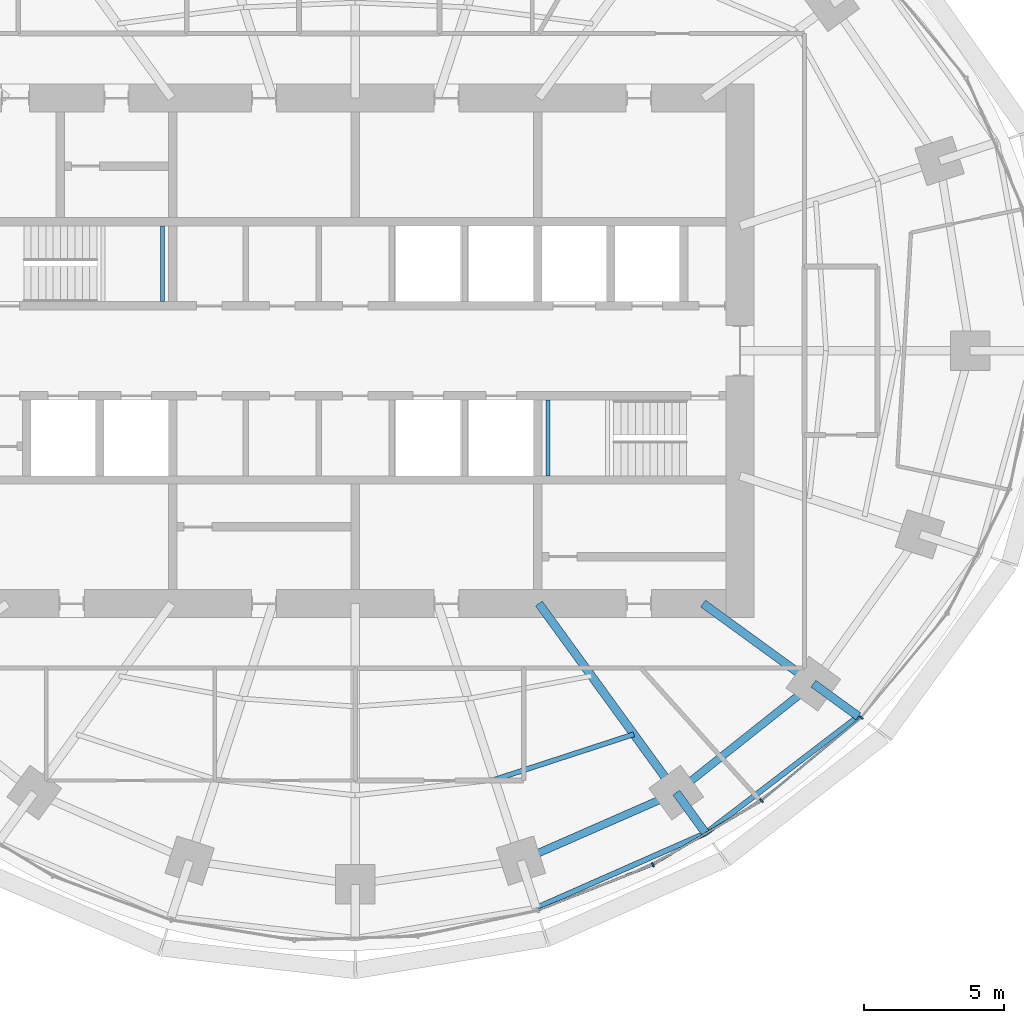
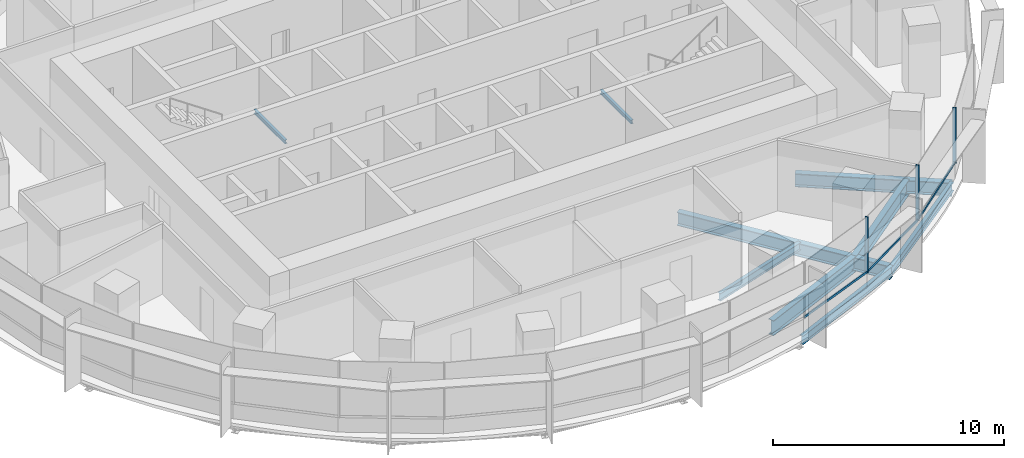
# One storey, part 5 of 14: 11 beams, 6 members, 2 elements without a shape of their own.
"""IFC4 building model written with IfcOpenShell, lengths in metres."""

import ifcopenshell
import ifcopenshell.guid

model = None  # the IFC model being written
_history = None  # IfcOwnerHistory: only IFC2X3 demands one
_inside = {}  # id of a spatial element -> (the spatial element, [elements in it])
_under = {}  # id of a project, library or spatial element -> (it, [spatial elements below it])
_declared = {}  # id of a project -> (the project, [libraries it declares])
_typed = {}  # id of a type object -> (the type object, [elements of that type])
_made_of = {}  # id of a material, layer set ... -> (it, [elements and type objects made of it])


def new_model(schema):
    """Start an empty IFC model of exactly this schema.

    Asked for "IFC4X3", IfcOpenShell would pick the latest addendum, in which some entities
    have other attributes; the version numbers below select the first issue.
    IFC2X3 requires an IfcOwnerHistory on every rooted entity: one is made here for all.
    """
    global model, _history
    if schema == "IFC4X3":
        model = ifcopenshell.file(schema_version=(4, 3, 0, 0))
    else:
        model = ifcopenshell.file(schema=schema)
    _inside.clear()
    _under.clear()
    _declared.clear()
    _typed.clear()
    _made_of.clear()
    _history = None
    if model.schema == "IFC2X3":
        org = make("IfcOrganization", Name="unknown")
        user = make(
            "IfcPersonAndOrganization",
            ThePerson=make("IfcPerson", FamilyName="unknown"),
            TheOrganization=org,
        )
        app = make(
            "IfcApplication",
            ApplicationDeveloper=org,
            Version="unknown",
            ApplicationFullName="unknown",
            ApplicationIdentifier="unknown",
        )
        _history = make(
            "IfcOwnerHistory",
            OwningUser=user,
            OwningApplication=app,
            ChangeAction="ADDED",
            CreationDate=0,
        )
    return model


def make(cls, **values):
    """One entity of the class cls with the attributes given. An attribute that is None is left unset."""
    return model.create_entity(
        cls, **{name: value for name, value in values.items() if value is not None}
    )


def rooted(cls, **values):
    """An entity with a GlobalId (a new one), such as an element, a storey or a relation."""
    return make(cls, GlobalId=ifcopenshell.guid.new(), OwnerHistory=_history, **values)


def si_unit(unit_type, name, prefix=None):
    """IfcSIUnit, for example si_unit("LENGTHUNIT", "METRE", prefix="MILLI")."""
    return make("IfcSIUnit", UnitType=unit_type, Prefix=prefix, Name=name)


def assignment(units):
    """IfcUnitAssignment: the units of a project."""
    return None if units is None else make("IfcUnitAssignment", Units=units)


def point(xyz):
    """IfcCartesianPoint."""
    return None if xyz is None else make("IfcCartesianPoint", Coordinates=xyz)


def direction(xyz):
    """IfcDirection."""
    return None if xyz is None else make("IfcDirection", DirectionRatios=xyz)


def frame(location, z_axis=None, x_axis=None):
    """IfcAxis2Placement3D, a coordinate frame: its origin and axes. An axis left out is left unset."""
    return make(
        "IfcAxis2Placement3D",
        Location=point(location),
        Axis=direction(z_axis),
        RefDirection=direction(x_axis),
    )


def frame_2d(location, x_axis=None):
    """IfcAxis2Placement2D, a coordinate frame in the plane: its origin and x axis."""
    return make(
        "IfcAxis2Placement2D", Location=point(location), RefDirection=direction(x_axis)
    )


def origin():
    """The frame at (0, 0, 0) with its axes left unset."""
    return frame((0.0, 0.0, 0.0))


def origin_2d():
    """The frame at (0, 0) in the plane with its x axis left unset."""
    return frame_2d((0.0, 0.0))


def place(relative_to, where):
    """IfcLocalPlacement: puts the frame where relative to a parent placement (None: the world)."""
    return make(
        "IfcLocalPlacement", PlacementRelTo=relative_to, RelativePlacement=where
    )


def context(
    kind, dimensions, precision=None, world=None, true_north=None, identifier=None
):
    """IfcGeometricRepresentationContext, for example the 3D "Model" context."""
    return make(
        "IfcGeometricRepresentationContext",
        ContextIdentifier=identifier,
        ContextType=kind,
        CoordinateSpaceDimension=dimensions,
        Precision=precision,
        WorldCoordinateSystem=world,
        TrueNorth=true_north,
    )


def subcontext(parent, identifier, kind, view, scale=None):
    """IfcGeometricRepresentationSubContext, for example "Body" below "Model"."""
    return make(
        "IfcGeometricRepresentationSubContext",
        ContextIdentifier=identifier,
        ContextType=kind,
        ParentContext=parent,
        TargetScale=scale,
        TargetView=view,
    )


def project(units=None, contexts=None):
    """IfcProject with its units and contexts."""
    return rooted(
        "IfcProject",
        Name="project",
        RepresentationContexts=contexts,
        UnitsInContext=assignment(units),
    )


def spatial(cls, under=None, at=None, **own):
    """A site, building, storey or space (cls), placed at a placement, below another one or the project."""
    s = rooted(cls, ObjectPlacement=at, **own)
    if under is not None:
        _under.setdefault(under.id(), (under, []))[1].append(s)
    return s


def profile(cls, at=None, kind="AREA", **sizes):
    """A parametric profile (cls). Its sizes go by their IFC names, for example OverallWidth=200.0."""
    return make(cls, ProfileType=kind, Position=at, **sizes)


def rectangle(**sizes):
    """IfcRectangleProfileDef."""
    return profile("IfcRectangleProfileDef", **sizes)


def i_section(**sizes):
    """IfcIShapeProfileDef."""
    return profile("IfcIShapeProfileDef", **sizes)


def extrude(swept, where, along, depth):
    """IfcExtrudedAreaSolid: the profile swept, set in the frame where, extruded along a direction by depth."""
    return make(
        "IfcExtrudedAreaSolid",
        SweptArea=swept,
        Position=where,
        ExtrudedDirection=direction(along),
        Depth=depth,
    )


def shape(context_of_items, identifier, shape_type, items):
    """IfcShapeRepresentation: the items that make up one representation, for example the "Body"."""
    return make(
        "IfcShapeRepresentation",
        ContextOfItems=context_of_items,
        RepresentationIdentifier=identifier,
        RepresentationType=shape_type,
        Items=items,
    )


def material(Name=None, Category=None):
    """IfcMaterial."""
    return make("IfcMaterial", Name=Name, Category=Category)


def material_profile(
    of_material, cross_section, Name=None, Category=None, Priority=None
):
    """IfcMaterialProfile: a cross section and its material."""
    return make(
        "IfcMaterialProfile",
        Name=Name,
        Material=of_material,
        Profile=cross_section,
        Priority=Priority,
        Category=Category,
    )


def profile_set(profiles, Name=None, composite=None):
    """IfcMaterialProfileSet."""
    return make(
        "IfcMaterialProfileSet",
        Name=Name,
        MaterialProfiles=profiles,
        CompositeProfile=composite,
    )


def made_of(thing, what):
    """Note that an element or type object is made of a material, layer set ...; save() writes the relation."""
    if what is not None:
        _made_of.setdefault(what.id(), (what, []))[1].append(thing)
    return thing


def type_object(cls, material=None, **own):
    """A type object (cls), such as IfcWallType, which elements share."""
    return made_of(rooted(cls, **own), material)


def element(
    cls,
    number,
    at=None,
    inside=None,
    cuts=None,
    type_object=None,
    material=None,
    context=None,
    identifier="Body",
    shape_type=None,
    held_by="IfcProductDefinitionShape",
    body=None,
    shapes=None,
    **own,
):
    """One element of the class cls, such as IfcWall. Its Tag is "e" and its number.

    at: its placement. inside: the storey or other place that contains it. cuts: it is an
    opening in that element (IfcRelVoidsElement). A single representation is given by context,
    identifier, shape_type and body (its items); several are given by shapes. held_by: the class
    of the entity that holds the representations. save() writes the other relations.
    """
    e = rooted(cls, Tag="e%d" % number, ObjectPlacement=at, **own)
    if body is not None:
        shapes = [shape(context, identifier, shape_type, body)]
    if shapes is not None:
        e.Representation = make(held_by, Representations=shapes)
    if inside is not None:
        _inside.setdefault(inside.id(), (inside, []))[1].append(e)
    if cuts is not None:
        rooted(
            "IfcRelVoidsElement", RelatingBuildingElement=cuts, RelatedOpeningElement=e
        )
    if type_object is not None:
        _typed.setdefault(type_object.id(), (type_object, []))[1].append(e)
    return made_of(e, material)


def aggregate(whole, parts):
    """IfcRelAggregates: a whole, such as a stair, and the parts it consists of."""
    return rooted("IfcRelAggregates", RelatingObject=whole, RelatedObjects=parts)


def save(model, path):
    """Write the relations noted so far, then the file.

    IfcRelAggregates (storeys below a building ...), IfcRelContainedInSpatialStructure (elements
    in a storey), IfcRelDefinesByType, IfcRelAssociatesMaterial and IfcRelDeclares: one each for
    every whole, place, type object, material and project.
    """
    for whole, parts in _under.values():
        aggregate(whole, parts)
    for where, things in _inside.values():
        rooted(
            "IfcRelContainedInSpatialStructure",
            RelatedElements=things,
            RelatingStructure=where,
        )
    for kind, things in _typed.values():
        rooted("IfcRelDefinesByType", RelatedObjects=things, RelatingType=kind)
    for what, things in _made_of.values():
        rooted("IfcRelAssociatesMaterial", RelatedObjects=things, RelatingMaterial=what)
    for by, libraries in _declared.values():
        rooted("IfcRelDeclares", RelatingContext=by, RelatedDefinitions=libraries)
    model.write(path)


model = new_model("IFC4")

# Units and contexts
model_context = context("Model", 3, precision=1e-05, world=origin(), true_north=direction((0.0, 1.0)))
body_context = subcontext(model_context, "Body", "Model", "MODEL_VIEW")
ifc_project = project(units=[si_unit("LENGTHUNIT", "METRE"), si_unit("AREAUNIT", "SQUARE_METRE"), si_unit("VOLUMEUNIT", "CUBIC_METRE"), si_unit("PLANEANGLEUNIT", "RADIAN"), si_unit("MASSUNIT", "GRAM", prefix="KILO")], contexts=[model_context])

# Site, building, storey
site_placement = place(None, origin())
site = spatial("IfcSite", under=ifc_project, at=site_placement, CompositionType="ELEMENT")
building_placement = place(site_placement, origin())
building = spatial("IfcBuilding", under=site, at=building_placement, Name="Marramba Exchange Tower", CompositionType="ELEMENT")
storey_placement = place(building_placement, frame((0.0, 0.0, 199.39990234375)))
storey = spatial("IfcBuildingStorey", under=building, at=storey_placement, Name="L48", CompositionType="ELEMENT", Elevation=199.39990234375)

# Beams
ifc_material_1 = material(Name="Steel AS/NZS 3679.2 grade 300", Category="steel")
ifc_material_profile_1 = material_profile(ifc_material_1, i_section(OverallWidth=0.300048828125, OverallDepth=0.699951171875, WebThickness=0.010009765625, FlangeThickness=0.031982421875, at=origin_2d()), Name="700WB173")
ifc_profile_set_1 = profile_set([ifc_material_profile_1], Name="Steel AS/NZS 3679.2 grade 300")
beam_type_1 = type_object("IfcBeamType", Name="Cantilever girder 700WB173", PredefinedType="BEAM", material=ifc_profile_set_1)
beam_1_placement = place(storey_placement, frame((11.430419921875, -15.732666015625, -0.510009765625), z_axis=(0.58783009415, -0.808984412959, 0.0), x_axis=(0.808984412959, 0.58783009415, 0.0)))
element("IfcBeam", 1, at=beam_1_placement, inside=storey, type_object=beam_type_1, Name="Cantilever girder L48 TC18", PredefinedType="BEAM", context=body_context, shape_type="SweptSolid", body=[
    extrude(i_section(OverallWidth=0.300048828125, OverallDepth=0.699951171875, WebThickness=0.010009765625, FlangeThickness=0.031982421875, at=origin_2d()), origin(), (0.0, 0.0, 1.0), 1.78515625),
])
beam_2_placement = place(storey_placement, frame((16.3154296875, -11.853759765625, -0.510009765625), z_axis=(0.808970801893, -0.587848825537, 0.0), x_axis=(0.587848825537, 0.808970801893, 0.0)))
element("IfcBeam", 2, at=beam_2_placement, inside=storey, type_object=beam_type_1, Name="Cantilever girder L48 TC19", PredefinedType="BEAM", context=body_context, shape_type="SweptSolid", body=[
    extrude(i_section(OverallWidth=0.300048828125, OverallDepth=0.699951171875, WebThickness=0.010009765625, FlangeThickness=0.031982421875, at=origin_2d()), origin(), (0.0, 0.0, 1.0), 1.978515625),
])
ifc_material_2 = material(Name="Steel AS/NZS 3679.1 grade 300", Category="steel")
ifc_material_profile_2 = material_profile(ifc_material_2, i_section(OverallWidth=0.177978515625, OverallDepth=0.406005859375, WebThickness=0.0078125, FlangeThickness=0.0126953125, FilletRadius=0.011474609375, at=origin_2d()), Name="410UB59.7")
ifc_profile_set_2 = profile_set([ifc_material_profile_2], Name="Steel AS/NZS 3679.1 grade 300")
beam_type_2 = type_object("IfcBeamType", Name="Floor joist 410UB59.7", PredefinedType="JOIST", material=ifc_profile_set_2)
beam_3_placement = place(storey_placement, frame((4.9619140625, -15.271484375, -0.36279296875), z_axis=(0.950764024931, 0.309915744834, 0.0), x_axis=(-0.309915744834, 0.950764024931, 0.0)))
element("IfcBeam", 3, at=beam_3_placement, inside=storey, type_object=beam_type_2, Name="Joist L48 bay 17 row 2", PredefinedType="JOIST", context=body_context, shape_type="SweptSolid", body=[
    extrude(i_section(OverallWidth=0.177978515625, OverallDepth=0.406005859375, WebThickness=0.0078125, FlangeThickness=0.0126953125, FilletRadius=0.011474609375, at=origin_2d()), origin(), (0.0, 0.0, 1.0), 5.2158203125),
])

# Curtain wall, members
ifc_material_3 = material(Name="Aluminium framing, bronze anodised", Category="aluminium")
curtain_wall_type = type_object("IfcCurtainWallType", Name="Office ribbon curtain wall", PredefinedType="USERDEFINED", material=ifc_material_3)
curtain_wall_1_placement = place(storey_placement, origin())
curtain_wall_1 = element("IfcCurtainWall", 4, at=curtain_wall_1_placement, inside=storey, type_object=curtain_wall_type, Name="Curtain wall CW4 L48 F26-F30", ObjectType="RIBBON CURTAIN WALL", PredefinedType="USERDEFINED")
ifc_material_4 = material(Name="Aluminium mullion, bronze anodised", Category="aluminium")
ifc_material_profile_3 = material_profile(ifc_material_4, rectangle(XDim=0.159912109375, YDim=0.06005859375, at=origin_2d()), Name="CW4 mullion 60x160")
ifc_profile_set_3 = profile_set([ifc_material_profile_3], Name="Aluminium mullion, bronze anodised")
member_type_1 = type_object("IfcMemberType", Name="Office ribbon curtain wall mullion", PredefinedType="MULLION", material=ifc_profile_set_3)
member_1_placement = place(storey_placement, frame((10.60009765625, -18.2998046875, 0.800048828125), z_axis=(0.0, 0.0, 1.0), x_axis=(-0.508010571686, 0.861350833897, 0.0)))
member_1 = element("IfcMember", 5, at=member_1_placement, type_object=member_type_1, Name="CW4 mullion 1", PredefinedType="MULLION", context=body_context, shape_type="SweptSolid", body=[
    extrude(rectangle(XDim=0.159912109375, YDim=0.06005859375, at=origin_2d()), origin(), (0.0, 0.0, 1.0), 2.93994140625),
])
member_2_placement = place(storey_placement, frame((14.461669921875, -16.0166015625, 0.800048828125), z_axis=(0.0, 0.0, 1.0), x_axis=(-0.639565270127, 0.768736798421, 0.0)))
member_2 = element("IfcMember", 6, at=member_2_placement, type_object=member_type_1, Name="CW4 mullion 1", PredefinedType="MULLION", context=body_context, shape_type="SweptSolid", body=[
    extrude(rectangle(XDim=0.159912109375, YDim=0.06005859375, at=origin_2d()), origin(), (0.0, 0.0, 1.0), 2.93994140625),
])
member_3_placement = place(storey_placement, frame((18.01611328125, -13.052490234375, 0.800048828125), z_axis=(0.0, 0.0, 1.0), x_axis=(-0.769912069289, 0.63814998673, 0.0)))
member_3 = element("IfcMember", 7, at=member_3_placement, type_object=member_type_1, Name="CW4 mullion 1", PredefinedType="MULLION", context=body_context, shape_type="SweptSolid", body=[
    extrude(rectangle(XDim=0.159912109375, YDim=0.06005859375, at=origin_2d()), origin(), (0.0, 0.0, 1.0), 2.93994140625),
])

# Curtain wall, member
curtain_wall_2_placement = place(storey_placement, origin())
curtain_wall_2 = element("IfcCurtainWall", 8, at=curtain_wall_2_placement, inside=storey, type_object=curtain_wall_type, Name="Curtain wall CW4 L48 F21-F25", ObjectType="RIBBON CURTAIN WALL", PredefinedType="USERDEFINED")
ifc_material_5 = material(Name="Aluminium transom, bronze anodised", Category="aluminium")
ifc_material_profile_4 = material_profile(ifc_material_5, rectangle(XDim=0.06005859375, YDim=0.1201171875, at=origin_2d()), Name="CW4 transom 60x120")
ifc_profile_set_4 = profile_set([ifc_material_profile_4], Name="Aluminium transom, bronze anodised")
member_type_2 = type_object("IfcMemberType", Name="Office ribbon curtain wall transom", PredefinedType="USERDEFINED", material=ifc_profile_set_4)
member_4_placement = place(storey_placement, frame((6.53271484375, -19.911376953125, 0.830078125), z_axis=(0.930068344217, 0.367386547229, 0.0), x_axis=(-0.367386547229, 0.930068344217, 0.0)))
member_4 = element("IfcMember", 9, at=member_4_placement, type_object=member_type_2, Name="CW4 sill transom", ObjectType="TRANSOM", PredefinedType="USERDEFINED", context=body_context, shape_type="SweptSolid", body=[
    extrude(rectangle(XDim=0.06005859375, YDim=0.1201171875, at=origin_2d()), origin(), (0.0, 0.0, 1.0), 4.345458984375),
])
aggregate(curtain_wall_2, [member_4])

# Member
member_5_placement = place(storey_placement, frame((10.6259765625, -18.28466796875, 0.830078125), z_axis=(0.861342387959, 0.508024891816, 0.0), x_axis=(-0.508024891816, 0.861342387959, 0.0)))
member_5 = element("IfcMember", 10, at=member_5_placement, type_object=member_type_2, Name="CW4 sill transom", ObjectType="TRANSOM", PredefinedType="USERDEFINED", context=body_context, shape_type="SweptSolid", body=[
    extrude(rectangle(XDim=0.06005859375, YDim=0.1201171875, at=origin_2d()), origin(), (0.0, 0.0, 1.0), 4.426513671875),
])

member_6_placement = place(storey_placement, frame((14.48486328125, -15.99755859375, 0.830078125), z_axis=(0.768707257272, 0.639600775967, 0.0), x_axis=(-0.639600775967, 0.768707257272, 0.0)))
member_6 = element("IfcMember", 11, at=member_6_placement, type_object=member_type_2, Name="CW4 sill transom", ObjectType="TRANSOM", PredefinedType="USERDEFINED", context=body_context, shape_type="SweptSolid", body=[
    extrude(rectangle(XDim=0.06005859375, YDim=0.1201171875, at=origin_2d()), origin(), (0.0, 0.0, 1.0), 4.568603515625),
])

aggregate(curtain_wall_1, [member_1, member_5, member_2, member_6, member_3])

# Beams
ifc_material_profile_5 = material_profile(ifc_material_1, i_section(OverallWidth=0.300048828125, OverallDepth=0.699951171875, WebThickness=0.010009765625, FlangeThickness=0.031982421875, at=origin_2d()), Name="700WB173")
ifc_profile_set_5 = profile_set([ifc_material_profile_5], Name="Steel AS/NZS 3679.2 grade 300")
beam_type_3 = type_object("IfcBeamType", Name="Radial girder 700WB173", PredefinedType="BEAM", material=ifc_profile_set_5)
beam_4_placement = place(storey_placement, frame((6.538818359375, -9.0, -0.510009765625), z_axis=(0.587787877172, -0.809015087282, 0.0), x_axis=(0.809015087282, 0.587787877172, 0.0)))
element("IfcBeam", 12, at=beam_4_placement, inside=storey, type_object=beam_type_3, Name="Radial girder L48 TC18", PredefinedType="BEAM", context=body_context, shape_type="SweptSolid", body=[
    extrude(i_section(OverallWidth=0.300048828125, OverallDepth=0.699951171875, WebThickness=0.010009765625, FlangeThickness=0.031982421875, at=origin_2d()), origin(), (0.0, 0.0, 1.0), 8.322021484375),
])
beam_5_placement = place(storey_placement, frame((12.387451171875, -9.0, -0.510009765625), z_axis=(0.809025189606, -0.58777397236, 0.0), x_axis=(0.58777397236, 0.809025189606, 0.0)))
element("IfcBeam", 13, at=beam_5_placement, inside=storey, type_object=beam_type_3, Name="Radial girder L48 TC19", PredefinedType="BEAM", context=body_context, shape_type="SweptSolid", body=[
    extrude(i_section(OverallWidth=0.300048828125, OverallDepth=0.699951171875, WebThickness=0.010009765625, FlangeThickness=0.031982421875, at=origin_2d()), origin(), (0.0, 0.0, 1.0), 4.855224609375),
])
ifc_material_profile_6 = material_profile(ifc_material_1, i_section(OverallWidth=0.27490234375, OverallDepth=0.800048828125, WebThickness=0.010009765625, FlangeThickness=0.02490234375, at=origin_2d()), Name="800WB168")
ifc_profile_set_6 = profile_set([ifc_material_profile_6], Name="Steel AS/NZS 3679.2 grade 300")
beam_type_4 = type_object("IfcBeamType", Name="Ring beam 800WB168", PredefinedType="SPANDREL", material=ifc_profile_set_6)
beam_6_placement = place(storey_placement, frame((5.899658203125, -18.156982421875, -0.559814453125), z_axis=(0.915876892158, 0.4014592363, 0.0), x_axis=(-0.4014592363, 0.915876892158, 0.0)))
element("IfcBeam", 14, at=beam_6_placement, inside=storey, type_object=beam_type_4, Name="Ring beam L48 TC17-TC18", PredefinedType="SPANDREL", context=body_context, shape_type="SweptSolid", body=[
    extrude(i_section(OverallWidth=0.27490234375, OverallDepth=0.800048828125, WebThickness=0.010009765625, FlangeThickness=0.02490234375, at=origin_2d()), origin(), (0.0, 0.0, 1.0), 6.038818359375),
])
beam_7_placement = place(storey_placement, frame((11.430419921875, -15.732666015625, -0.559814453125), z_axis=(0.783139438128, 0.621846138887, 0.0), x_axis=(-0.621846138887, 0.783139438128, 0.0)))
element("IfcBeam", 15, at=beam_7_placement, inside=storey, type_object=beam_type_4, Name="Ring beam L48 TC18-TC19", PredefinedType="SPANDREL", context=body_context, shape_type="SweptSolid", body=[
    extrude(i_section(OverallWidth=0.27490234375, OverallDepth=0.800048828125, WebThickness=0.010009765625, FlangeThickness=0.02490234375, at=origin_2d()), origin(), (0.0, 0.0, 1.0), 6.23779296875),
])
ifc_material_profile_7 = material_profile(ifc_material_2, i_section(OverallWidth=0.19091796875, OverallDepth=0.4599609375, WebThickness=0.010009765625, FlangeThickness=0.01611328125, FilletRadius=0.011474609375, at=origin_2d()), Name="460UB82.1")
ifc_profile_set_7 = profile_set([ifc_material_profile_7], Name="Steel AS/NZS 3679.1 grade 300")
beam_type_5 = type_object("IfcBeamType", Name="Slab edge beam 460UB82.1", PredefinedType="SPANDREL", material=ifc_profile_set_7)
beam_8_placement = place(storey_placement, frame((6.44580078125, -19.83837890625, -0.389892578125), z_axis=(0.914940719579, 0.403588255102, 0.0), x_axis=(-0.403588255102, 0.914940719579, 0.0)))
element("IfcBeam", 16, at=beam_8_placement, inside=storey, type_object=beam_type_5, Name="Slab edge beam L48 TC17-TC18", PredefinedType="SPANDREL", context=body_context, shape_type="SweptSolid", body=[
    extrude(i_section(OverallWidth=0.19091796875, OverallDepth=0.4599609375, WebThickness=0.010009765625, FlangeThickness=0.01611328125, FilletRadius=0.011474609375, at=origin_2d()), origin(), (0.0, 0.0, 1.0), 6.594970703125),
])
beam_9_placement = place(storey_placement, frame((12.479736328125, -17.1767578125, -0.389892578125), z_axis=(0.794163423189, 0.607704251481, 0.0), x_axis=(-0.607704251481, 0.794163423189, 0.0)))
element("IfcBeam", 17, at=beam_9_placement, inside=storey, type_object=beam_type_5, Name="Slab edge beam L48 TC18-TC19", PredefinedType="SPANDREL", context=body_context, shape_type="SweptSolid", body=[
    extrude(i_section(OverallWidth=0.19091796875, OverallDepth=0.4599609375, WebThickness=0.010009765625, FlangeThickness=0.01611328125, FilletRadius=0.011474609375, at=origin_2d()), origin(), (0.0, 0.0, 1.0), 6.84521484375),
])
ifc_material_profile_8 = material_profile(ifc_material_2, i_section(OverallWidth=0.133056640625, OverallDepth=0.202880859375, WebThickness=0.005859375, FlangeThickness=0.0078125, FilletRadius=0.0087890625, at=origin_2d()), Name="200UB25.4")
ifc_profile_set_8 = profile_set([ifc_material_profile_8], Name="Steel AS/NZS 3679.1 grade 300")
beam_type_6 = type_object("IfcBeamType", Name="Stair landing beam 200UB25.4", PredefinedType="BEAM", material=ifc_profile_set_8)
for number, where, z_axis, x_axis, name in (
    (18, (-6.866455078125, 1.75, 1.648681640625), (0.0, 1.0, 0.0), (-1.0, 0.0, 0.0), "Stair landing beam SLB1 ST1 L48 2"),
    (19, (6.866455078125, -4.449951171875, 1.648681640625), (0.0, 1.0, 0.0), (-1.0, 0.0, 0.0), "Stair landing beam SLB1 ST2 L48 1"),
):
    element("IfcBeam", number, at=place(storey_placement, frame(where, z_axis=z_axis, x_axis=x_axis)), inside=storey, type_object=beam_type_6, Name=name, PredefinedType="BEAM", context=body_context, shape_type="SweptSolid", body=[
        extrude(i_section(OverallWidth=0.133056640625, OverallDepth=0.202880859375, WebThickness=0.005859375, FlangeThickness=0.0078125, FilletRadius=0.0087890625, at=origin_2d()), origin(), (0.0, 0.0, 1.0), 2.699951171875),
    ])

save(model, "model.ifc")
